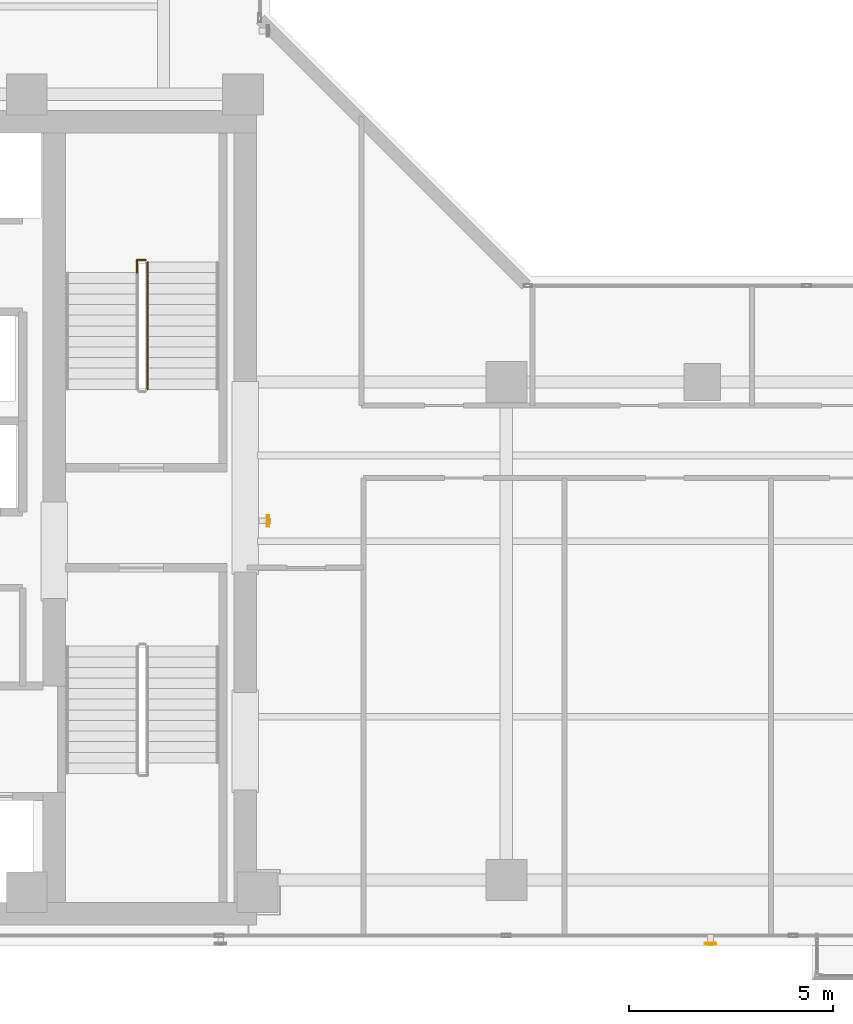
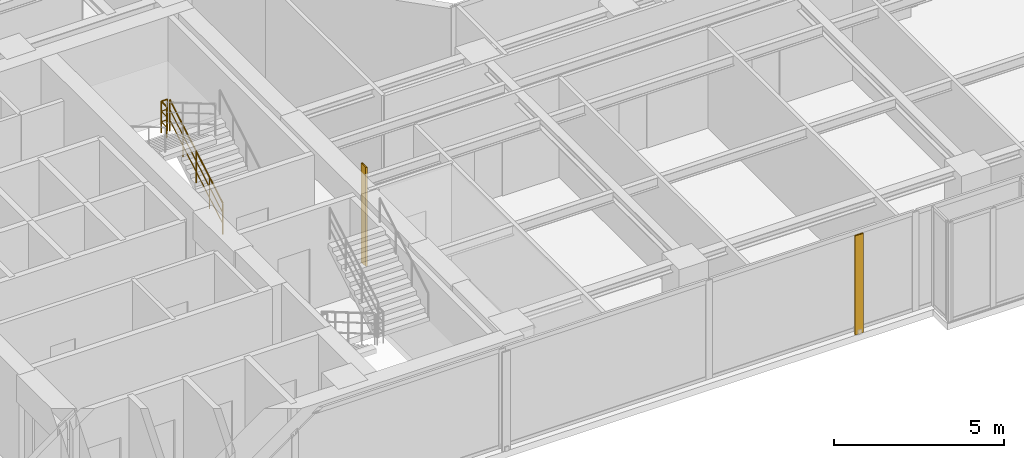
# One storey, part 21 of 24: 2 railings, 2 shading devices.
"""IFC4 building model written with IfcOpenShell, lengths in metres."""

from ifc_helpers import new_model, si_unit, direction, frame, origin, origin_2d, place, context, subcontext, project, spatial, hollow_rectangle, circle, extrude, material, material_profile, profile_set, type_object, element, save


model = new_model("IFC4")

# Units and contexts
model_context = context("Model", 3, precision=1e-05, world=origin(), true_north=direction((0.0, 1.0)))
body_context = subcontext(model_context, "Body", "Model", "MODEL_VIEW")
ifc_project = project(units=[si_unit("LENGTHUNIT", "METRE"), si_unit("AREAUNIT", "SQUARE_METRE"), si_unit("VOLUMEUNIT", "CUBIC_METRE"), si_unit("PLANEANGLEUNIT", "RADIAN"), si_unit("MASSUNIT", "GRAM", prefix="KILO")], contexts=[model_context])

# Site, building, storey
site_placement = place(None, origin())
site = spatial("IfcSite", under=ifc_project, at=site_placement, CompositionType="ELEMENT")
building_placement = place(site_placement, origin())
building = spatial("IfcBuilding", under=site, at=building_placement, Name="Kolvaren Waterfront Exchange", CompositionType="ELEMENT")
storey_placement = place(building_placement, frame((0.0, 0.0, 208.300048828125)))
storey = spatial("IfcBuildingStorey", under=building, at=storey_placement, Name="L53", CompositionType="ELEMENT", Elevation=208.300048828125)

# Shading devices
ifc_material_1 = material(Name="Anodised bronze aluminium 6063-T6", Category="aluminium")
ifc_material_profile = material_profile(ifc_material_1, hollow_rectangle(XDim=0.054931640625, YDim=0.280029296875, WallThickness=0.00439453125, at=origin_2d()), Name="BRZ-FIN-280x55x4.5")
ifc_profile_set = profile_set([ifc_material_profile], Name="Anodised bronze aluminium 6063-T6")
shading_device_type = type_object("IfcShadingDeviceType", Name="ARC-FIN-280", PredefinedType="USERDEFINED", material=ifc_profile_set)
for number, where, z_axis, x_axis, name in (
    (1, (32.199951171875, 3.639892578125, 0.0), (0.0, 0.0, 1.0), (0.0, -1.0, 0.0), "L53 anodised bronze solar shading fin FIN-L53-S3"),
    (2, (21.360107421875, 14.0, 0.0), (0.0, 0.0, 1.0), (1.0, 0.0, 0.0), "L53 anodised bronze solar shading fin FIN-L53-E1"),
):
    element("IfcShadingDevice", number, at=place(storey_placement, frame(where, z_axis=z_axis, x_axis=x_axis)), inside=storey, type_object=shading_device_type, Name=name, ObjectType="SOLAR FIN", PredefinedType="USERDEFINED", context=body_context, shape_type="SweptSolid", body=[
        extrude(hollow_rectangle(XDim=0.054931640625, YDim=0.280029296875, WallThickness=0.00439453125, at=origin_2d()), origin(), (0.0, 0.0, 1.0), 3.56005859375),
    ])

# Railings
ifc_material_2 = material(Name="Stainless steel 316", Category="steel")
railing_type = type_object("IfcRailingType", Name="ARC-GUARD-STAIR", PredefinedType="GUARDRAIL", material=ifc_material_2)
railing_1_placement = place(storey_placement, frame((18.409912109375, 17.219970703125, 0.15185546875)))
element("IfcRailing", 3, at=railing_1_placement, inside=storey, type_object=railing_type, Name="L53 ST2 stair guard 1", PredefinedType="GUARDRAIL", context=body_context, shape_type="SweptSolid", body=[
    extrude(circle(Radius=0.02392578125, at=origin_2d()), frame((0.0, 0.0, 1.1259765625), z_axis=(0.0, 0.86330811405, 0.504677223793), x_axis=(-1.0, 0.0, 0.0)), (0.0, 0.0, 1.0), 3.6142578125),
    extrude(circle(Radius=0.01611328125, at=origin_2d()), frame((0.0, 0.0, 0.390869140625), z_axis=(0.0, 0.86330811405, 0.504677223793), x_axis=(-1.0, 0.0, 0.0)), (0.0, 0.0, 1.0), 3.6142578125),
    extrude(circle(Radius=0.01611328125, at=origin_2d()), frame((0.0, 0.0, 0.7705078125), z_axis=(0.0, 0.86330811405, 0.504677223793), x_axis=(-1.0, 0.0, 0.0)), (0.0, 0.0, 1.0), 3.6142578125),
    extrude(circle(Radius=0.02099609375, at=origin_2d()), origin(), (0.0, 0.0, 1.0), 1.101806640625),
    extrude(circle(Radius=0.02099609375, at=origin_2d()), frame((0.0, 0.780029296875, 0.4560546875)), (0.0, 0.0, 1.0), 1.101806640625),
    extrude(circle(Radius=0.02099609375, at=origin_2d()), frame((0.0, 1.56005859375, 0.912109375)), (0.0, 0.0, 1.0), 1.101806640625),
    extrude(circle(Radius=0.02099609375, at=origin_2d()), frame((0.0, 2.340087890625, 1.367919921875)), (0.0, 0.0, 1.0), 1.101806640625),
    extrude(circle(Radius=0.02099609375, at=origin_2d()), frame((0.0, 3.1201171875, 1.823974609375)), (0.0, 0.0, 1.0), 1.101806640625),
])
railing_2_placement = place(storey_placement, frame((18.360107421875, 20.389892578125, 1.975830078125)))
element("IfcRailing", 4, at=railing_2_placement, inside=storey, type_object=railing_type, Name="L53 ST2 stair guard 2", PredefinedType="GUARDRAIL", context=body_context, shape_type="SweptSolid", body=[
    extrude(circle(Radius=0.02392578125, at=origin_2d()), frame((0.0, 0.0, 1.1259765625), z_axis=(-1.0, 0.0, 0.0), x_axis=(0.0, -1.0, 0.0)), (0.0, 0.0, 1.0), 0.210205078125),
    extrude(circle(Radius=0.01611328125, at=origin_2d()), frame((0.0, 0.0, 0.390869140625), z_axis=(-1.0, 0.0, 0.0), x_axis=(0.0, -1.0, 0.0)), (0.0, 0.0, 1.0), 0.210205078125),
    extrude(circle(Radius=0.01611328125, at=origin_2d()), frame((0.0, 0.0, 0.7705078125), z_axis=(-1.0, 0.0, 0.0), x_axis=(0.0, -1.0, 0.0)), (0.0, 0.0, 1.0), 0.210205078125),
    extrude(circle(Radius=0.02392578125, at=origin_2d()), frame((-0.210205078125, 0.0, 1.1259765625), z_axis=(0.0, -1.0, 0.0), x_axis=(1.0, 0.0, 0.0)), (0.0, 0.0, 1.0), 0.309814453125),
    extrude(circle(Radius=0.01611328125, at=origin_2d()), frame((-0.210205078125, 0.0, 0.390869140625), z_axis=(0.0, -1.0, 0.0), x_axis=(1.0, 0.0, 0.0)), (0.0, 0.0, 1.0), 0.309814453125),
    extrude(circle(Radius=0.01611328125, at=origin_2d()), frame((-0.210205078125, 0.0, 0.7705078125), z_axis=(0.0, -1.0, 0.0), x_axis=(1.0, 0.0, 0.0)), (0.0, 0.0, 1.0), 0.309814453125),
    extrude(circle(Radius=0.02099609375, at=origin_2d()), origin(), (0.0, 0.0, 1.0), 1.101806640625),
    extrude(circle(Radius=0.02099609375, at=origin_2d()), frame((-0.210205078125, 0.0, 0.0)), (0.0, 0.0, 1.0), 1.101806640625),
    extrude(circle(Radius=0.02099609375, at=origin_2d()), frame((-0.210205078125, -0.309814453125, 0.0)), (0.0, 0.0, 1.0), 1.101806640625),
])

save(model, "model.ifc")
